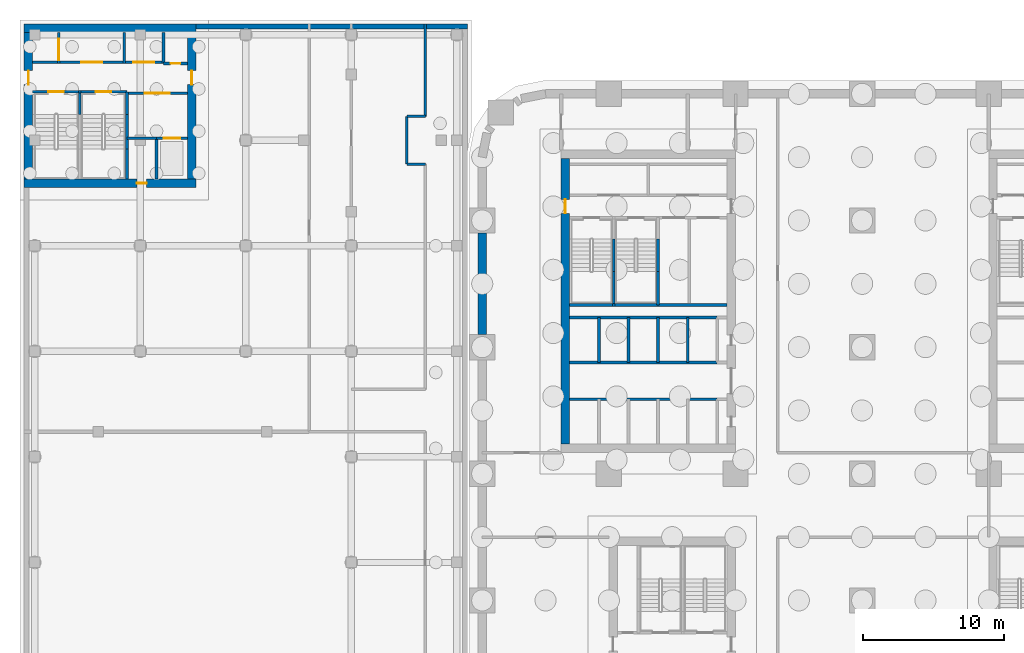
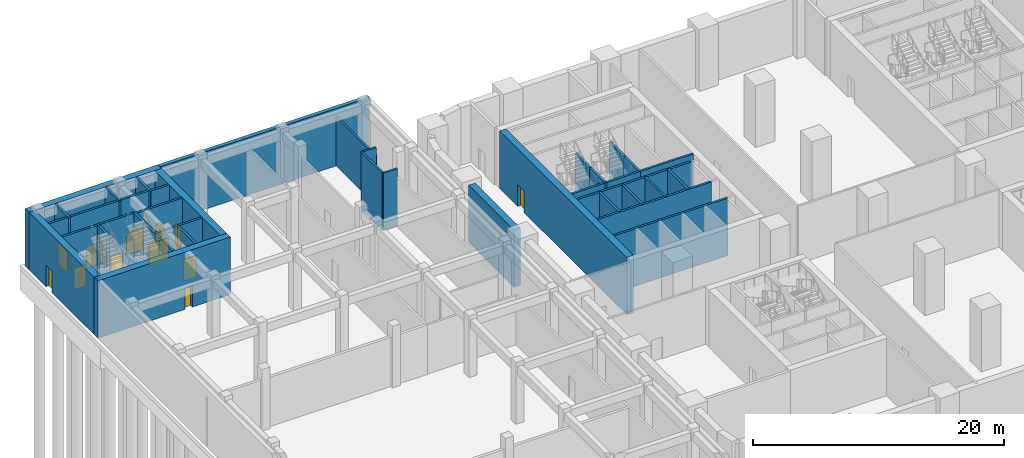
# One storey, part 11 of 26: 42 walls, 12 doors, 12 openings.
"""IFC4 building model written with IfcOpenShell, lengths in metres."""

from ifc_helpers import new_model, si_unit, direction, frame, frame_2d, origin, place, context, subcontext, project, spatial, rectangle, extrude, material, layer, layer_set, type_object, element, fill, save


model = new_model("IFC4")

# Units and contexts
model_context = context("Model", 3, precision=1e-05, world=origin(), true_north=direction((0.0, 1.0)))
body_context = subcontext(model_context, "Body", "Model", "MODEL_VIEW")
ifc_project = project(units=[si_unit("LENGTHUNIT", "METRE"), si_unit("AREAUNIT", "SQUARE_METRE"), si_unit("VOLUMEUNIT", "CUBIC_METRE"), si_unit("PLANEANGLEUNIT", "RADIAN"), si_unit("MASSUNIT", "GRAM", prefix="KILO")], contexts=[model_context])

# Site, building, storey
site_placement = place(None, origin())
site = spatial("IfcSite", under=ifc_project, at=site_placement, CompositionType="ELEMENT")
building_placement = place(site_placement, origin())
building = spatial("IfcBuilding", under=site, at=building_placement, Name="Tessera Arch", CompositionType="ELEMENT")
storey_placement = place(building_placement, frame((0.0, 0.0, -6.0)))
storey = spatial("IfcBuildingStorey", under=building, at=storey_placement, Name="B1", CompositionType="ELEMENT", Elevation=-6.0)

# Wall
ifc_material_1 = material(Name="Concrete C50/60", Category="concrete")
ifc_layer_1 = layer(ifc_material_1, 0.60009765625)
ifc_layer_set_1 = layer_set([ifc_layer_1], Name="Basement wall 600 Concrete C50/60")
wall_type_1 = type_object("IfcWallType", Name="Basement wall 600 Concrete C50/60", PredefinedType="SOLIDWALL", material=ifc_layer_set_1)
wall_1_placement = place(storey_placement, frame((0.0, 44.10009765625, 0.0), z_axis=(0.0, 0.0, 1.0), x_axis=(0.0, -1.0, 0.0)))
element("IfcWall", 1, at=wall_1_placement, inside=storey, type_object=wall_type_1, Name="Basement wall B1 22", PredefinedType="SOLIDWALL", context=body_context, shape_type="SweptSolid", body=[
    extrude(rectangle(XDim=7.2001953125, YDim=0.60009765625, at=frame_2d((3.60009765625, 0.0))), origin(), (0.0, 0.0, 1.0), 5.590087890625),
])

# Wall, opening, door
ifc_material_2 = material(Name="Gypsum board on steel stud", Category="steel")
ifc_layer_2 = layer(ifc_material_2, 0.125)
ifc_layer_set_2 = layer_set([ifc_layer_2], Name="Core partition 125 EI 60")
wall_type_2 = type_object("IfcWallType", Name="Core partition 125 EI 60", PredefinedType="PARTITIONING", material=ifc_layer_set_2)
wall_2_placement = place(storey_placement, frame((-30.090087890625, 56.14990234375, 0.0), z_axis=(0.0, 0.0, 1.0), x_axis=(0.0, 1.0, 0.0)))
wall_2 = element("IfcWall", 2, at=wall_2_placement, inside=storey, type_object=wall_type_2, Name="B1 M1 partition wall 1", PredefinedType="PARTITIONING", context=body_context, shape_type="SweptSolid", body=[
    extrude(rectangle(XDim=2.2001953125, YDim=0.199951171875, at=frame_2d((1.10009765625, 0.0))), origin(), (0.0, 0.0, 1.0), 5.590087890625),
])
opening_1_placement = place(wall_2_placement, frame((0.25, 0.0, 0.0)))
opening_1 = element("IfcOpeningElement", 3, at=opening_1_placement, cuts=wall_2, Name="Opening B1-C54", PredefinedType="OPENING", context=body_context, shape_type="SweptSolid", body=[
    extrude(rectangle(XDim=1.5, YDim=2.10009765625, at=frame_2d((0.75, 1.050048828125))), frame((0.0, 0.10986328125, 0.0), z_axis=(0.0, -1.0, 0.0), x_axis=(1.0, 0.0, 0.0)), (0.0, 0.0, 1.0), 0.219970703125),
])
ifc_material_3 = material(Name="Steel door leaf", Category="steel")
door_type_1 = type_object("IfcDoorType", Name="Plant door FD60 1500 x 2100", OperationType="DOUBLE_DOOR_SINGLE_SWING", PredefinedType="DOOR", material=ifc_material_3)
door_1_placement = place(opening_1_placement, origin())
door_1 = element("IfcDoor", 4, at=door_1_placement, inside=storey, type_object=door_type_1, Name="B1 M1 door 11 C54 type D08", OperationType="DOUBLE_DOOR_SINGLE_SWING", OverallHeight=2.10009765625, OverallWidth=1.5, PredefinedType="DOOR", context=body_context, shape_type="SweptSolid", body=[
    extrude(rectangle(XDim=1.5, YDim=2.10009765625, at=frame_2d((0.75, 1.050048828125))), frame((0.0, 0.02490234375, 0.0), z_axis=(0.0, -1.0, 0.0), x_axis=(1.0, 0.0, 0.0)), (0.0, 0.0, 1.0), 0.050048828125),
])
fill(opening_1, door_1)

# Wall
wall_3_placement = place(storey_placement, frame((-25.43994140625, 56.14990234375, 0.0), z_axis=(0.0, 0.0, 1.0), x_axis=(0.0, 1.0, 0.0)))
element("IfcWall", 5, at=wall_3_placement, inside=storey, type_object=wall_type_2, Name="B1 M1 partition wall 5", PredefinedType="PARTITIONING", context=body_context, shape_type="SweptSolid", body=[
    extrude(rectangle(XDim=2.2001953125, YDim=0.199951171875, at=frame_2d((1.10009765625, 0.0))), origin(), (0.0, 0.0, 1.0), 5.590087890625),
])

# Wall, opening, door
wall_4_placement = place(storey_placement, frame((-25.25, 54.050048828125, 0.0), z_axis=(0.0, 0.0, 1.0), x_axis=(1.0, 0.0, 0.0)))
wall_4 = element("IfcWall", 6, at=wall_4_placement, inside=storey, type_object=wall_type_2, Name="B1 M1 partition wall 13", PredefinedType="PARTITIONING", context=body_context, shape_type="SweptSolid", body=[
    extrude(rectangle(XDim=4.300048828125, YDim=0.199951171875, at=frame_2d((2.14990234375, 0.0))), origin(), (0.0, 0.0, 1.0), 5.590087890625),
])
opening_2_placement = place(wall_4_placement, frame((1.25, 0.0, 0.0)))
opening_2 = element("IfcOpeningElement", 7, at=opening_2_placement, cuts=wall_4, Name="Opening B1-C47", PredefinedType="OPENING", context=body_context, shape_type="SweptSolid", body=[
    extrude(rectangle(XDim=1.800048828125, YDim=2.10009765625, at=frame_2d((0.89990234375, 1.050048828125))), frame((0.0, 0.10986328125, 0.0), z_axis=(0.0, -1.0, 0.0), x_axis=(1.0, 0.0, 0.0)), (0.0, 0.0, 1.0), 0.219970703125),
])
ifc_material_4 = material(Name="Glazed steel door leaf", Category="steel")
door_type_2 = type_object("IfcDoorType", Name="Lobby double door FD60 1800 x 2100", OperationType="DOUBLE_DOOR_SINGLE_SWING", PredefinedType="DOOR", material=ifc_material_4)
door_2_placement = place(opening_2_placement, origin())
door_2 = element("IfcDoor", 8, at=door_2_placement, inside=storey, type_object=door_type_2, Name="B1 M1 door 4 C47 type D19", OperationType="DOUBLE_DOOR_SINGLE_SWING", OverallHeight=2.10009765625, OverallWidth=1.800048828125, PredefinedType="DOOR", context=body_context, shape_type="SweptSolid", body=[
    extrude(rectangle(XDim=1.800048828125, YDim=2.10009765625, at=frame_2d((0.89990234375, 1.050048828125))), frame((0.0, 0.02490234375, 0.0), z_axis=(0.0, -1.0, 0.0), x_axis=(1.0, 0.0, 0.0)), (0.0, 0.0, 1.0), 0.050048828125),
])
fill(opening_2, door_2)

# Wall, openings, doors
wall_5_placement = place(storey_placement, frame((-31.949951171875, 56.25, 0.0), z_axis=(0.0, 0.0, 1.0), x_axis=(1.0, 0.0, 0.0)))
wall_5 = element("IfcWall", 9, at=wall_5_placement, inside=storey, type_object=wall_type_2, Name="B1 M1 partition wall 17", PredefinedType="PARTITIONING", context=body_context, shape_type="SweptSolid", body=[
    extrude(rectangle(XDim=9.300048828125, YDim=0.199951171875, at=frame_2d((4.64990234375, 0.0))), origin(), (0.0, 0.0, 1.0), 5.590087890625),
])
opening_3_placement = place(wall_5_placement, frame((3.43505859375, 0.0, 0.0)))
opening_3 = element("IfcOpeningElement", 10, at=opening_3_placement, cuts=wall_5, Name="Opening B1-C52", PredefinedType="OPENING", context=body_context, shape_type="SweptSolid", body=[
    extrude(rectangle(XDim=1.5, YDim=2.10009765625, at=frame_2d((0.75, 1.050048828125))), frame((0.0, 0.10986328125, 0.0), z_axis=(0.0, -1.0, 0.0), x_axis=(1.0, 0.0, 0.0)), (0.0, 0.0, 1.0), 0.219970703125),
])
opening_4_placement = place(wall_5_placement, frame((7.155029296875, 0.0, 0.0)))
opening_4 = element("IfcOpeningElement", 11, at=opening_4_placement, cuts=wall_5, Name="Opening B1-C53", PredefinedType="OPENING", context=body_context, shape_type="SweptSolid", body=[
    extrude(rectangle(XDim=1.5, YDim=2.10009765625, at=frame_2d((0.75, 1.050048828125))), frame((0.0, 0.10986328125, 0.0), z_axis=(0.0, -1.0, 0.0), x_axis=(1.0, 0.0, 0.0)), (0.0, 0.0, 1.0), 0.219970703125),
])
door_3_placement = place(opening_3_placement, origin())
door_3 = element("IfcDoor", 12, at=door_3_placement, inside=storey, type_object=door_type_1, Name="B1 M1 door 9 C52 type D08", OperationType="DOUBLE_DOOR_SINGLE_SWING", OverallHeight=2.10009765625, OverallWidth=1.5, PredefinedType="DOOR", context=body_context, shape_type="SweptSolid", body=[
    extrude(rectangle(XDim=1.5, YDim=2.10009765625, at=frame_2d((0.75, 1.050048828125))), frame((0.0, 0.02490234375, 0.0), z_axis=(0.0, -1.0, 0.0), x_axis=(1.0, 0.0, 0.0)), (0.0, 0.0, 1.0), 0.050048828125),
])
fill(opening_3, door_3)
door_4_placement = place(opening_4_placement, origin())
door_4 = element("IfcDoor", 13, at=door_4_placement, inside=storey, type_object=door_type_1, Name="B1 M1 door 10 C53 type D08", OperationType="DOUBLE_DOOR_SINGLE_SWING", OverallHeight=2.10009765625, OverallWidth=1.5, PredefinedType="DOOR", context=body_context, shape_type="SweptSolid", body=[
    extrude(rectangle(XDim=1.5, YDim=2.10009765625, at=frame_2d((0.75, 1.050048828125))), frame((0.0, 0.02490234375, 0.0), z_axis=(0.0, -1.0, 0.0), x_axis=(1.0, 0.0, 0.0)), (0.0, 0.0, 1.0), 0.050048828125),
])
fill(opening_4, door_4)

# Wall, opening, door
ifc_material_5 = material(Name="Concrete C70/85", Category="concrete")
ifc_layer_3 = layer(ifc_material_5, 0.60009765625)
ifc_layer_set_3 = layer_set([ifc_layer_3], Name="Core shell wall 600 C70-85")
wall_type_3 = type_object("IfcWallType", Name="Core shell wall 600 C70-85", PredefinedType="SHEAR", material=ifc_layer_set_3)
wall_6_placement = place(storey_placement, frame((5.89990234375, 29.10009765625, 0.0), z_axis=(0.0, 0.0, 1.0), x_axis=(0.0, 1.0, 0.0)))
wall_6 = element("IfcWall", 14, at=wall_6_placement, inside=storey, type_object=wall_type_3, Name="B1 C2 core wall W", PredefinedType="SHEAR", context=body_context, shape_type="SweptSolid", body=[
    extrude(rectangle(XDim=20.2998046875, YDim=0.60009765625, at=frame_2d((10.14990234375, 0.0))), origin(), (0.0, 0.0, 1.0), 5.590087890625),
])
opening_5_placement = place(wall_6_placement, frame((16.39990234375, 0.0, 0.0)))
opening_5 = element("IfcOpeningElement", 15, at=opening_5_placement, cuts=wall_6, Name="Opening B1-C20", PredefinedType="OPENING", context=body_context, shape_type="SweptSolid", body=[
    extrude(rectangle(XDim=1.0, YDim=2.10009765625, at=frame_2d((0.5, 1.050048828125))), frame((0.0, 0.31005859375, 0.0), z_axis=(0.0, -1.0, 0.0), x_axis=(1.0, 0.0, 0.0)), (0.0, 0.0, 1.0), 0.6201171875),
])
ifc_material_6 = material(Name="Steel door leaf", Category="steel")
door_type_3 = type_object("IfcDoorType", Name="Corridor door FD60 1000 x 2100", OperationType="SINGLE_SWING_LEFT", PredefinedType="DOOR", material=ifc_material_6)
door_5_placement = place(opening_5_placement, origin())
door_5 = element("IfcDoor", 16, at=door_5_placement, inside=storey, type_object=door_type_3, Name="B1 C2 door 7 C20 type D12", OperationType="SINGLE_SWING_RIGHT", OverallHeight=2.10009765625, OverallWidth=1.0, PredefinedType="DOOR", context=body_context, shape_type="SweptSolid", body=[
    extrude(rectangle(XDim=1.0, YDim=2.10009765625, at=frame_2d((0.5, 1.050048828125))), frame((0.0, 0.02490234375, 0.0), z_axis=(0.0, -1.0, 0.0), x_axis=(1.0, 0.0, 0.0)), (0.0, 0.0, 1.0), 0.050048828125),
])
fill(opening_5, door_5)

wall_7_placement = place(storey_placement, frame((-32.550048828125, 47.64990234375, 0.0), z_axis=(0.0, 0.0, 1.0), x_axis=(1.0, 0.0, 0.0)))
wall_7 = element("IfcWall", 17, at=wall_7_placement, inside=storey, type_object=wall_type_3, Name="B1 M1 core wall S", PredefinedType="SHEAR", context=body_context, shape_type="SweptSolid", body=[
    extrude(rectangle(XDim=12.199951171875, YDim=0.60009765625, at=frame_2d((6.10009765625, 0.0))), origin(), (0.0, 0.0, 1.0), 5.590087890625),
])
opening_6_placement = place(wall_7_placement, frame((8.0, 0.0, 0.0)))
opening_6 = element("IfcOpeningElement", 18, at=opening_6_placement, cuts=wall_7, Name="Opening B1-C49", PredefinedType="OPENING", context=body_context, shape_type="SweptSolid", body=[
    extrude(rectangle(XDim=0.699951171875, YDim=2.10009765625, at=frame_2d((0.35009765625, 1.050048828125))), frame((0.0, 0.31005859375, 0.0), z_axis=(0.0, -1.0, 0.0), x_axis=(1.0, 0.0, 0.0)), (0.0, 0.0, 1.0), 0.6201171875),
])
ifc_material_7 = material(Name="Steel door leaf", Category="steel")
door_type_4 = type_object("IfcDoorType", Name="Service shaft door FD60 700 x 2100", OperationType="SINGLE_SWING_LEFT", PredefinedType="DOOR", material=ifc_material_7)
door_6_placement = place(opening_6_placement, origin())
door_6 = element("IfcDoor", 19, at=door_6_placement, inside=storey, type_object=door_type_4, Name="B1 M1 door 6 C49 type D07", OperationType="SINGLE_SWING_RIGHT", OverallHeight=2.10009765625, OverallWidth=0.699951171875, PredefinedType="DOOR", context=body_context, shape_type="SweptSolid", body=[
    extrude(rectangle(XDim=0.699951171875, YDim=2.10009765625, at=frame_2d((0.35009765625, 1.050048828125))), frame((0.0, 0.02490234375, 0.0), z_axis=(0.0, -1.0, 0.0), x_axis=(1.0, 0.0, 0.0)), (0.0, 0.0, 1.0), 0.050048828125),
])
fill(opening_6, door_6)

# Wall
wall_8_placement = place(storey_placement, frame((-32.550048828125, 58.64990234375, 0.0), z_axis=(0.0, 0.0, 1.0), x_axis=(1.0, 0.0, 0.0)))
element("IfcWall", 20, at=wall_8_placement, inside=storey, type_object=wall_type_3, Name="B1 M1 core wall N", PredefinedType="SHEAR", context=body_context, shape_type="SweptSolid", body=[
    extrude(rectangle(XDim=12.199951171875, YDim=0.60009765625, at=frame_2d((6.10009765625, 0.0))), origin(), (0.0, 0.0, 1.0), 5.590087890625),
])

# Wall, opening, door
wall_9_placement = place(storey_placement, frame((-32.25, 47.949951171875, 0.0), z_axis=(0.0, 0.0, 1.0), x_axis=(0.0, 1.0, 0.0)))
wall_9 = element("IfcWall", 21, at=wall_9_placement, inside=storey, type_object=wall_type_3, Name="B1 M1 core wall W", PredefinedType="SHEAR", context=body_context, shape_type="SweptSolid", body=[
    extrude(rectangle(XDim=10.400146484375, YDim=0.60009765625, at=frame_2d((5.2001953125, 0.0))), origin(), (0.0, 0.0, 1.0), 5.590087890625),
])
opening_7_placement = place(wall_9_placement, frame((6.699951171875, 0.0, 0.0)))
opening_7 = element("IfcOpeningElement", 22, at=opening_7_placement, cuts=wall_9, Name="Opening B1-C50", PredefinedType="OPENING", context=body_context, shape_type="SweptSolid", body=[
    extrude(rectangle(XDim=1.0, YDim=2.10009765625, at=frame_2d((0.5, 1.050048828125))), frame((0.0, 0.31005859375, 0.0), z_axis=(0.0, -1.0, 0.0), x_axis=(1.0, 0.0, 0.0)), (0.0, 0.0, 1.0), 0.6201171875),
])
door_7_placement = place(opening_7_placement, origin())
door_7 = element("IfcDoor", 23, at=door_7_placement, inside=storey, type_object=door_type_3, Name="B1 M1 door 7 C50 type D12", OperationType="SINGLE_SWING_RIGHT", OverallHeight=2.10009765625, OverallWidth=1.0, PredefinedType="DOOR", context=body_context, shape_type="SweptSolid", body=[
    extrude(rectangle(XDim=1.0, YDim=2.10009765625, at=frame_2d((0.5, 1.050048828125))), frame((0.0, 0.02490234375, 0.0), z_axis=(0.0, -1.0, 0.0), x_axis=(1.0, 0.0, 0.0)), (0.0, 0.0, 1.0), 0.050048828125),
])
fill(opening_7, door_7)

wall_10_placement = place(storey_placement, frame((-20.64990234375, 47.949951171875, 0.0), z_axis=(0.0, 0.0, 1.0), x_axis=(0.0, 1.0, 0.0)))
wall_10 = element("IfcWall", 24, at=wall_10_placement, inside=storey, type_object=wall_type_3, Name="B1 M1 core wall E", PredefinedType="SHEAR", context=body_context, shape_type="SweptSolid", body=[
    extrude(rectangle(XDim=10.400146484375, YDim=0.60009765625, at=frame_2d((5.2001953125, 0.0))), origin(), (0.0, 0.0, 1.0), 5.590087890625),
])
opening_8_placement = place(wall_10_placement, frame((6.699951171875, 0.0, 0.0)))
opening_8 = element("IfcOpeningElement", 25, at=opening_8_placement, cuts=wall_10, Name="Opening B1-C51", PredefinedType="OPENING", context=body_context, shape_type="SweptSolid", body=[
    extrude(rectangle(XDim=1.0, YDim=2.10009765625, at=frame_2d((0.5, 1.050048828125))), frame((0.0, 0.31005859375, 0.0), z_axis=(0.0, -1.0, 0.0), x_axis=(1.0, 0.0, 0.0)), (0.0, 0.0, 1.0), 0.6201171875),
])
door_8_placement = place(opening_8_placement, origin())
door_8 = element("IfcDoor", 26, at=door_8_placement, inside=storey, type_object=door_type_3, Name="B1 M1 door 8 C51 type D12", OperationType="SINGLE_SWING_RIGHT", OverallHeight=2.10009765625, OverallWidth=1.0, PredefinedType="DOOR", context=body_context, shape_type="SweptSolid", body=[
    extrude(rectangle(XDim=1.0, YDim=2.10009765625, at=frame_2d((0.5, 1.050048828125))), frame((0.0, 0.02490234375, 0.0), z_axis=(0.0, -1.0, 0.0), x_axis=(1.0, 0.0, 0.0)), (0.0, 0.0, 1.0), 0.050048828125),
])
fill(opening_8, door_8)

# Walls
ifc_material_8 = material(Name="Gypsum board on deep steel stud with mineral wool", Category="steel")
ifc_layer_4 = layer(ifc_material_8, 0.175048828125)
ifc_layer_set_4 = layer_set([ifc_layer_4], Name="Corridor wall 175 EI 60")
wall_type_4 = type_object("IfcWallType", Name="Corridor wall 175 EI 60", PredefinedType="PARTITIONING", material=ifc_layer_set_4)
for number, where, z_axis, x_axis, name in (
    (27, (-5.35009765625, 49.0, 0.0), (0.0, 0.0, 1.0), (1.0, 0.0, 0.0), "B1 partition 9"),
    (28, (-5.35009765625, 52.39990234375, 0.0), (0.0, 0.0, 1.0), (1.0, 0.0, 0.0), "B1 partition 11"),
):
    element("IfcWall", number, at=place(storey_placement, frame(where, z_axis=z_axis, x_axis=x_axis)), inside=storey, type_object=wall_type_4, Name=name, PredefinedType="PARTITIONING", context=body_context, shape_type="SweptSolid", body=[
        extrude(rectangle(XDim=1.300048828125, YDim=0.175048828125, at=frame_2d((0.64990234375, 0.0))), origin(), (0.0, 0.0, 1.0), 5.590087890625),
    ])
wall_11_placement = place(storey_placement, frame((-5.35009765625, 49.0, 0.0), z_axis=(0.0, 0.0, 1.0), x_axis=(0.0, 1.0, 0.0)))
element("IfcWall", 29, at=wall_11_placement, inside=storey, type_object=wall_type_4, Name="B1 partition 14", PredefinedType="PARTITIONING", context=body_context, shape_type="SweptSolid", body=[
    extrude(rectangle(XDim=3.39990234375, YDim=0.175048828125, at=frame_2d((1.699951171875, 0.0))), origin(), (0.0, 0.0, 1.0), 5.590087890625),
])
wall_12_placement = place(storey_placement, frame((-4.050048828125, 52.39990234375, 0.0), z_axis=(0.0, 0.0, 1.0), x_axis=(0.0, 1.0, 0.0)))
element("IfcWall", 30, at=wall_12_placement, inside=storey, type_object=wall_type_4, Name="B1 partition 17", PredefinedType="PARTITIONING", context=body_context, shape_type="SweptSolid", body=[
    extrude(rectangle(XDim=6.550048828125, YDim=0.175048828125, at=frame_2d((3.27490234375, 0.0))), origin(), (0.0, 0.0, 1.0), 4.7900390625),
])
ifc_material_9 = material(Name="Concrete C40/50", Category="concrete")
ifc_layer_5 = layer(ifc_material_9, 0.199951171875)
ifc_layer_set_5 = layer_set([ifc_layer_5], Name="Lift shaft wall 200 REI 180")
wall_type_5 = type_object("IfcWallType", Name="Lift shaft wall 200 REI 180", PredefinedType="SOLIDWALL", material=ifc_layer_set_5)
for number, where, z_axis, x_axis, name in (
    (31, (8.300048828125, 34.89990234375, 0.0), (0.0, 0.0, 1.0), (0.0, 1.0, 0.0), "B1 C2 shaft wall 2"),
    (32, (10.39990234375, 34.89990234375, 0.0), (0.0, 0.0, 1.0), (0.0, 1.0, 0.0), "B1 C2 shaft wall 7"),
    (33, (12.5, 34.89990234375, 0.0), (0.0, 0.0, 1.0), (0.0, 1.0, 0.0), "B1 C2 shaft wall 10"),
    (34, (14.60009765625, 34.89990234375, 0.0), (0.0, 0.0, 1.0), (0.0, 1.0, 0.0), "B1 C2 shaft wall 15"),
):
    element("IfcWall", number, at=place(storey_placement, frame(where, z_axis=z_axis, x_axis=x_axis)), inside=storey, type_object=wall_type_5, Name=name, PredefinedType="SOLIDWALL", context=body_context, shape_type="SweptSolid", body=[
        extrude(rectangle(XDim=3.2001953125, YDim=0.199951171875, at=frame_2d((1.60009765625, 0.0))), origin(), (0.0, 0.0, 1.0), 5.590087890625),
    ])
for number, where, z_axis, x_axis, name in (
    (35, (6.199951171875, 32.300048828125, 0.0), (0.0, 0.0, 1.0), (1.0, 0.0, 0.0), "B1 C2 shaft wall 19"),
    (36, (6.199951171875, 34.89990234375, 0.0), (0.0, 0.0, 1.0), (1.0, 0.0, 0.0), "B1 C2 shaft wall 21"),
    (37, (6.199951171875, 38.10009765625, 0.0), (0.0, 0.0, 1.0), (1.0, 0.0, 0.0), "B1 C2 shaft wall 23"),
):
    element("IfcWall", number, at=place(storey_placement, frame(where, z_axis=z_axis, x_axis=x_axis)), inside=storey, type_object=wall_type_5, Name=name, PredefinedType="SOLIDWALL", context=body_context, shape_type="SweptSolid", body=[
        extrude(rectangle(XDim=10.5, YDim=0.199951171875, at=frame_2d((5.25, 0.0))), origin(), (0.0, 0.0, 1.0), 5.590087890625),
    ])
wall_13_placement = place(storey_placement, frame((-23.14990234375, 47.949951171875, 0.0), z_axis=(0.0, 0.0, 1.0), x_axis=(0.0, 1.0, 0.0)))
element("IfcWall", 38, at=wall_13_placement, inside=storey, type_object=wall_type_5, Name="B1 M1 shaft wall 9", PredefinedType="SOLIDWALL", context=body_context, shape_type="SweptSolid", body=[
    extrude(rectangle(XDim=2.900146484375, YDim=0.199951171875, at=frame_2d((1.4501953125, 0.0))), origin(), (0.0, 0.0, 1.0), 5.590087890625),
])

# Wall, opening, door
wall_14_placement = place(storey_placement, frame((-23.14990234375, 50.85009765625, 0.0), z_axis=(0.0, 0.0, 1.0), x_axis=(1.0, 0.0, 0.0)))
wall_14 = element("IfcWall", 39, at=wall_14_placement, inside=storey, type_object=wall_type_5, Name="B1 M1 shaft wall 11", PredefinedType="SOLIDWALL", context=body_context, shape_type="SweptSolid", body=[
    extrude(rectangle(XDim=2.199951171875, YDim=0.199951171875, at=frame_2d((1.10009765625, 0.0))), origin(), (0.0, 0.0, 1.0), 5.590087890625),
])
opening_9_placement = place(wall_14_placement, frame((0.5, 0.0, 0.0)))
opening_9 = element("IfcOpeningElement", 40, at=opening_9_placement, cuts=wall_14, Name="Opening B1-C44", PredefinedType="OPENING", context=body_context, shape_type="SweptSolid", body=[
    extrude(rectangle(XDim=1.199951171875, YDim=2.10009765625, at=frame_2d((0.60009765625, 1.050048828125))), frame((0.0, 0.10986328125, 0.0), z_axis=(0.0, -1.0, 0.0), x_axis=(1.0, 0.0, 0.0)), (0.0, 0.0, 1.0), 0.219970703125),
])
ifc_material_10 = material(Name="Stainless steel AISI 304", Category="steel")
door_type_5 = type_object("IfcDoorType", Name="Sliding landing door 1200 x 2100", OperationType="SLIDING_TO_LEFT", PredefinedType="DOOR", material=ifc_material_10)
door_9_placement = place(opening_9_placement, origin())
door_9 = element("IfcDoor", 41, at=door_9_placement, inside=storey, type_object=door_type_5, Name="B1 ML1 lift landing door C44 type LD", OperationType="SLIDING_TO_LEFT", OverallHeight=2.10009765625, OverallWidth=1.199951171875, PredefinedType="DOOR", context=body_context, shape_type="SweptSolid", body=[
    extrude(rectangle(XDim=1.199951171875, YDim=2.10009765625, at=frame_2d((0.60009765625, 1.050048828125))), frame((0.0, 0.02490234375, 0.0), z_axis=(0.0, -1.0, 0.0), x_axis=(1.0, 0.0, 0.0)), (0.0, 0.0, 1.0), 0.050048828125),
])
fill(opening_9, door_9)

# Walls
ifc_material_11 = material(Name="Concrete C50/60", Category="concrete")
ifc_layer_6 = layer(ifc_material_11, 0.35009765625)
ifc_layer_set_6 = layer_set([ifc_layer_6], Name="Museum basement wall 350 Concrete C50/60")
wall_type_6 = type_object("IfcWallType", Name="Museum basement wall 350 Concrete C50/60", PredefinedType="SOLIDWALL", material=ifc_layer_set_6)
wall_15_placement = place(storey_placement, frame((-20.35009765625, 58.77490234375, 0.0), z_axis=(0.0, 0.0, 1.0), x_axis=(1.0, 0.0, 0.0)))
element("IfcWall", 42, at=wall_15_placement, inside=storey, type_object=wall_type_6, Name="Museum basement wall B1 2", PredefinedType="SOLIDWALL", context=body_context, shape_type="SweptSolid", body=[
    extrude(rectangle(XDim=19.300048828125, YDim=0.35009765625, at=frame_2d((9.64990234375, 0.0))), origin(), (0.0, 0.0, 1.0), 5.590087890625),
])
ifc_material_12 = material(Name="Concrete C40/50", Category="concrete")
ifc_layer_7 = layer(ifc_material_12, 0.199951171875)
ifc_layer_set_7 = layer_set([ifc_layer_7], Name="Shaft wall 200 EI 120")
wall_type_7 = type_object("IfcWallType", Name="Shaft wall 200 EI 120", PredefinedType="SOLIDWALL", material=ifc_layer_set_7)
wall_16_placement = place(storey_placement, frame((12.5, 39.0, 0.0), z_axis=(0.0, 0.0, 1.0), x_axis=(1.0, 0.0, 0.0)))
element("IfcWall", 43, at=wall_16_placement, inside=storey, type_object=wall_type_7, Name="B1 C2 shaft wall 25", PredefinedType="SOLIDWALL", context=body_context, shape_type="SweptSolid", body=[
    extrude(rectangle(XDim=4.89990234375, YDim=0.199951171875, at=frame_2d((2.449951171875, 0.0))), origin(), (0.0, 0.0, 1.0), 5.590087890625),
])
wall_17_placement = place(storey_placement, frame((-22.64990234375, 56.14990234375, 0.0), z_axis=(0.0, 0.0, 1.0), x_axis=(0.0, 1.0, 0.0)))
element("IfcWall", 44, at=wall_17_placement, inside=storey, type_object=wall_type_7, Name="B1 M1 shaft wall 10", PredefinedType="SOLIDWALL", context=body_context, shape_type="SweptSolid", body=[
    extrude(rectangle(XDim=2.2001953125, YDim=0.199951171875, at=frame_2d((1.10009765625, 0.0))), origin(), (0.0, 0.0, 1.0), 5.590087890625),
])
wall_18_placement = place(storey_placement, frame((-25.25, 50.85009765625, 0.0), z_axis=(0.0, 0.0, 1.0), x_axis=(1.0, 0.0, 0.0)))
element("IfcWall", 45, at=wall_18_placement, inside=storey, type_object=wall_type_7, Name="B1 M1 shaft wall 12", PredefinedType="SOLIDWALL", context=body_context, shape_type="SweptSolid", body=[
    extrude(rectangle(XDim=2.10009765625, YDim=0.199951171875, at=frame_2d((1.050048828125, 0.0))), origin(), (0.0, 0.0, 1.0), 5.590087890625),
])

# Wall, opening, door
wall_19_placement = place(storey_placement, frame((-22.64990234375, 56.14990234375, 0.0), z_axis=(0.0, 0.0, 1.0), x_axis=(1.0, 0.0, 0.0)))
wall_19 = element("IfcWall", 46, at=wall_19_placement, inside=storey, type_object=wall_type_7, Name="B1 M1 shaft wall 18", PredefinedType="SOLIDWALL", context=body_context, shape_type="SweptSolid", body=[
    extrude(rectangle(XDim=1.699951171875, YDim=0.199951171875, at=frame_2d((0.85009765625, 0.0))), origin(), (0.0, 0.0, 1.0), 5.590087890625),
])
opening_10_placement = place(wall_19_placement, frame((0.5, 0.0, 0.0)))
opening_10 = element("IfcOpeningElement", 47, at=opening_10_placement, cuts=wall_19, Name="Opening B1-C48", PredefinedType="OPENING", context=body_context, shape_type="SweptSolid", body=[
    extrude(rectangle(XDim=0.699951171875, YDim=2.10009765625, at=frame_2d((0.35009765625, 1.050048828125))), frame((0.0, 0.10986328125, 0.0), z_axis=(0.0, -1.0, 0.0), x_axis=(1.0, 0.0, 0.0)), (0.0, 0.0, 1.0), 0.219970703125),
])
door_10_placement = place(opening_10_placement, origin())
door_10 = element("IfcDoor", 48, at=door_10_placement, inside=storey, type_object=door_type_4, Name="B1 M1 door 5 C48 type D07", OperationType="SINGLE_SWING_RIGHT", OverallHeight=2.10009765625, OverallWidth=0.699951171875, PredefinedType="DOOR", context=body_context, shape_type="SweptSolid", body=[
    extrude(rectangle(XDim=0.699951171875, YDim=2.10009765625, at=frame_2d((0.35009765625, 1.050048828125))), frame((0.0, 0.02490234375, 0.0), z_axis=(0.0, -1.0, 0.0), x_axis=(1.0, 0.0, 0.0)), (0.0, 0.0, 1.0), 0.050048828125),
])
fill(opening_10, door_10)

# Walls
ifc_material_13 = material(Name="Concrete C40/50", Category="concrete")
ifc_layer_8 = layer(ifc_material_13, 0.199951171875)
ifc_layer_set_8 = layer_set([ifc_layer_8], Name="Stair well wall 200 REI 180")
wall_type_8 = type_object("IfcWallType", Name="Stair well wall 200 REI 180", PredefinedType="SOLIDWALL", material=ifc_layer_set_8)
wall_20_placement = place(storey_placement, frame((9.35009765625, 39.0, 0.0), z_axis=(0.0, 0.0, 1.0), x_axis=(0.0, 1.0, 0.0)))
element("IfcWall", 49, at=wall_20_placement, inside=storey, type_object=wall_type_8, Name="B1 C2 shaft wall 3", PredefinedType="SOLIDWALL", context=body_context, shape_type="SweptSolid", body=[
    extrude(rectangle(XDim=2.3798828125, YDim=0.199951171875, at=frame_2d((1.18994140625, 0.0))), origin(), (0.0, 0.0, 1.0), 5.590087890625),
])
wall_21_placement = place(storey_placement, frame((9.35009765625, 41.3798828125, 0.0), z_axis=(0.0, 0.0, 1.0), x_axis=(0.0, 1.0, 0.0)))
element("IfcWall", 50, at=wall_21_placement, inside=storey, type_object=wall_type_8, Name="B1 C2 shaft wall 4", PredefinedType="SOLIDWALL", context=body_context, shape_type="SweptSolid", body=[
    extrude(rectangle(XDim=2.320068359375, YDim=0.199951171875, at=frame_2d((1.16015625, 0.0))), origin(), (0.0, 0.0, 1.0), 5.590087890625),
])
wall_22_placement = place(storey_placement, frame((12.5, 39.0, 0.0), z_axis=(0.0, 0.0, 1.0), x_axis=(0.0, 1.0, 0.0)))
element("IfcWall", 51, at=wall_22_placement, inside=storey, type_object=wall_type_8, Name="B1 C2 shaft wall 11", PredefinedType="SOLIDWALL", context=body_context, shape_type="SweptSolid", body=[
    extrude(rectangle(XDim=2.3798828125, YDim=0.199951171875, at=frame_2d((1.18994140625, 0.0))), origin(), (0.0, 0.0, 1.0), 5.590087890625),
])
wall_23_placement = place(storey_placement, frame((12.5, 41.3798828125, 0.0), z_axis=(0.0, 0.0, 1.0), x_axis=(0.0, 1.0, 0.0)))
element("IfcWall", 52, at=wall_23_placement, inside=storey, type_object=wall_type_8, Name="B1 C2 shaft wall 12", PredefinedType="SOLIDWALL", context=body_context, shape_type="SweptSolid", body=[
    extrude(rectangle(XDim=2.320068359375, YDim=0.199951171875, at=frame_2d((1.16015625, 0.0))), origin(), (0.0, 0.0, 1.0), 5.590087890625),
])
wall_24_placement = place(storey_placement, frame((6.199951171875, 39.0, 0.0), z_axis=(0.0, 0.0, 1.0), x_axis=(1.0, 0.0, 0.0)))
element("IfcWall", 53, at=wall_24_placement, inside=storey, type_object=wall_type_8, Name="B1 C2 shaft wall 26", PredefinedType="SOLIDWALL", context=body_context, shape_type="SweptSolid", body=[
    extrude(rectangle(XDim=3.050048828125, YDim=0.199951171875, at=frame_2d((1.52490234375, 0.0))), origin(), (0.0, 0.0, 1.0), 5.590087890625),
])
wall_25_placement = place(storey_placement, frame((9.25, 39.0, 0.0), z_axis=(0.0, 0.0, 1.0), x_axis=(1.0, 0.0, 0.0)))
element("IfcWall", 54, at=wall_25_placement, inside=storey, type_object=wall_type_8, Name="B1 C2 shaft wall 27", PredefinedType="SOLIDWALL", context=body_context, shape_type="SweptSolid", body=[
    extrude(rectangle(XDim=0.199951171875, YDim=0.199951171875, at=frame_2d((0.10009765625, 0.0))), origin(), (0.0, 0.0, 1.0), 5.590087890625),
])
wall_26_placement = place(storey_placement, frame((9.449951171875, 39.0, 0.0), z_axis=(0.0, 0.0, 1.0), x_axis=(1.0, 0.0, 0.0)))
element("IfcWall", 55, at=wall_26_placement, inside=storey, type_object=wall_type_8, Name="B1 C2 shaft wall 28", PredefinedType="SOLIDWALL", context=body_context, shape_type="SweptSolid", body=[
    extrude(rectangle(XDim=3.050048828125, YDim=0.199951171875, at=frame_2d((1.52490234375, 0.0))), origin(), (0.0, 0.0, 1.0), 5.590087890625),
])
wall_27_placement = place(storey_placement, frame((-28.60009765625, 52.550048828125, 0.0), z_axis=(0.0, 0.0, 1.0), x_axis=(0.0, 1.0, 0.0)))
element("IfcWall", 56, at=wall_27_placement, inside=storey, type_object=wall_type_8, Name="B1 M1 shaft wall 4", PredefinedType="SOLIDWALL", context=body_context, shape_type="SweptSolid", body=[
    extrude(rectangle(XDim=1.599853515625, YDim=0.199951171875, at=frame_2d((0.7998046875, 0.0))), origin(), (0.0, 0.0, 1.0), 5.590087890625),
])
wall_28_placement = place(storey_placement, frame((-25.25, 47.949951171875, 0.0), z_axis=(0.0, 0.0, 1.0), x_axis=(0.0, 1.0, 0.0)))
element("IfcWall", 57, at=wall_28_placement, inside=storey, type_object=wall_type_8, Name="B1 M1 shaft wall 6", PredefinedType="SOLIDWALL", context=body_context, shape_type="SweptSolid", body=[
    extrude(rectangle(XDim=2.1201171875, YDim=0.199951171875, at=frame_2d((1.06005859375, 0.0))), origin(), (0.0, 0.0, 1.0), 5.590087890625),
])
wall_29_placement = place(storey_placement, frame((-25.25, 50.070068359375, 0.0), z_axis=(0.0, 0.0, 1.0), x_axis=(0.0, 1.0, 0.0)))
element("IfcWall", 58, at=wall_29_placement, inside=storey, type_object=wall_type_8, Name="B1 M1 shaft wall 7", PredefinedType="SOLIDWALL", context=body_context, shape_type="SweptSolid", body=[
    extrude(rectangle(XDim=2.47998046875, YDim=0.199951171875, at=frame_2d((1.239990234375, 0.0))), origin(), (0.0, 0.0, 1.0), 5.590087890625),
])
wall_30_placement = place(storey_placement, frame((-25.25, 52.550048828125, 0.0), z_axis=(0.0, 0.0, 1.0), x_axis=(0.0, 1.0, 0.0)))
element("IfcWall", 59, at=wall_30_placement, inside=storey, type_object=wall_type_8, Name="B1 M1 shaft wall 8", PredefinedType="SOLIDWALL", context=body_context, shape_type="SweptSolid", body=[
    extrude(rectangle(XDim=1.599853515625, YDim=0.199951171875, at=frame_2d((0.7998046875, 0.0))), origin(), (0.0, 0.0, 1.0), 5.590087890625),
])

# Wall, opening, door
wall_31_placement = place(storey_placement, frame((-31.949951171875, 54.14990234375, 0.0), z_axis=(0.0, 0.0, 1.0), x_axis=(1.0, 0.0, 0.0)))
wall_31 = element("IfcWall", 60, at=wall_31_placement, inside=storey, type_object=wall_type_8, Name="B1 M1 shaft wall 14", PredefinedType="SOLIDWALL", context=body_context, shape_type="SweptSolid", body=[
    extrude(rectangle(XDim=3.25, YDim=0.199951171875, at=frame_2d((1.625, 0.0))), origin(), (0.0, 0.0, 1.0), 5.590087890625),
])
opening_11_placement = place(wall_31_placement, frame((1.125, 0.0, 0.0)))
opening_11 = element("IfcOpeningElement", 61, at=opening_11_placement, cuts=wall_31, Name="Opening B1-C45", PredefinedType="OPENING", context=body_context, shape_type="SweptSolid", body=[
    extrude(rectangle(XDim=1.10009765625, YDim=2.10009765625, at=frame_2d((0.550048828125, 1.050048828125))), frame((0.0, 0.10986328125, 0.0), z_axis=(0.0, -1.0, 0.0), x_axis=(1.0, 0.0, 0.0)), (0.0, 0.0, 1.0), 0.219970703125),
])
ifc_material_14 = material(Name="Steel door leaf", Category="steel")
door_type_6 = type_object("IfcDoorType", Name="Stair door FD60 1100 x 2100", OperationType="SINGLE_SWING_LEFT", PredefinedType="DOOR", material=ifc_material_14)
door_11_placement = place(opening_11_placement, origin())
door_11 = element("IfcDoor", 62, at=door_11_placement, inside=storey, type_object=door_type_6, Name="B1 M1 door 2 C45 type D05", OperationType="SINGLE_SWING_RIGHT", OverallHeight=2.10009765625, OverallWidth=1.10009765625, PredefinedType="DOOR", context=body_context, shape_type="SweptSolid", body=[
    extrude(rectangle(XDim=1.10009765625, YDim=2.10009765625, at=frame_2d((0.550048828125, 1.050048828125))), frame((0.0, 0.02490234375, 0.0), z_axis=(0.0, -1.0, 0.0), x_axis=(1.0, 0.0, 0.0)), (0.0, 0.0, 1.0), 0.050048828125),
])
fill(opening_11, door_11)

# Wall
wall_32_placement = place(storey_placement, frame((-28.699951171875, 54.14990234375, 0.0), z_axis=(0.0, 0.0, 1.0), x_axis=(1.0, 0.0, 0.0)))
element("IfcWall", 63, at=wall_32_placement, inside=storey, type_object=wall_type_8, Name="B1 M1 shaft wall 15", PredefinedType="SOLIDWALL", context=body_context, shape_type="SweptSolid", body=[
    extrude(rectangle(XDim=0.199951171875, YDim=0.199951171875, at=frame_2d((0.10009765625, 0.0))), origin(), (0.0, 0.0, 1.0), 5.590087890625),
])

# Wall, opening, door
wall_33_placement = place(storey_placement, frame((-28.5, 54.14990234375, 0.0), z_axis=(0.0, 0.0, 1.0), x_axis=(1.0, 0.0, 0.0)))
wall_33 = element("IfcWall", 64, at=wall_33_placement, inside=storey, type_object=wall_type_8, Name="B1 M1 shaft wall 16", PredefinedType="SOLIDWALL", context=body_context, shape_type="SweptSolid", body=[
    extrude(rectangle(XDim=3.25, YDim=0.199951171875, at=frame_2d((1.625, 0.0))), origin(), (0.0, 0.0, 1.0), 5.590087890625),
])
opening_12_placement = place(wall_33_placement, frame((1.02490234375, 0.0, 0.0)))
opening_12 = element("IfcOpeningElement", 65, at=opening_12_placement, cuts=wall_33, Name="Opening B1-C46", PredefinedType="OPENING", context=body_context, shape_type="SweptSolid", body=[
    extrude(rectangle(XDim=1.10009765625, YDim=2.10009765625, at=frame_2d((0.550048828125, 1.050048828125))), frame((0.0, 0.10986328125, 0.0), z_axis=(0.0, -1.0, 0.0), x_axis=(1.0, 0.0, 0.0)), (0.0, 0.0, 1.0), 0.219970703125),
])
door_12_placement = place(opening_12_placement, origin())
door_12 = element("IfcDoor", 66, at=door_12_placement, inside=storey, type_object=door_type_6, Name="B1 M1 door 3 C46 type D05", OperationType="SINGLE_SWING_LEFT", OverallHeight=2.10009765625, OverallWidth=1.10009765625, PredefinedType="DOOR", context=body_context, shape_type="SweptSolid", body=[
    extrude(rectangle(XDim=1.10009765625, YDim=2.10009765625, at=frame_2d((0.550048828125, 1.050048828125))), frame((0.0, 0.02490234375, 0.0), z_axis=(0.0, -1.0, 0.0), x_axis=(1.0, 0.0, 0.0)), (0.0, 0.0, 1.0), 0.050048828125),
])
fill(opening_12, door_12)

save(model, "model.ifc")
